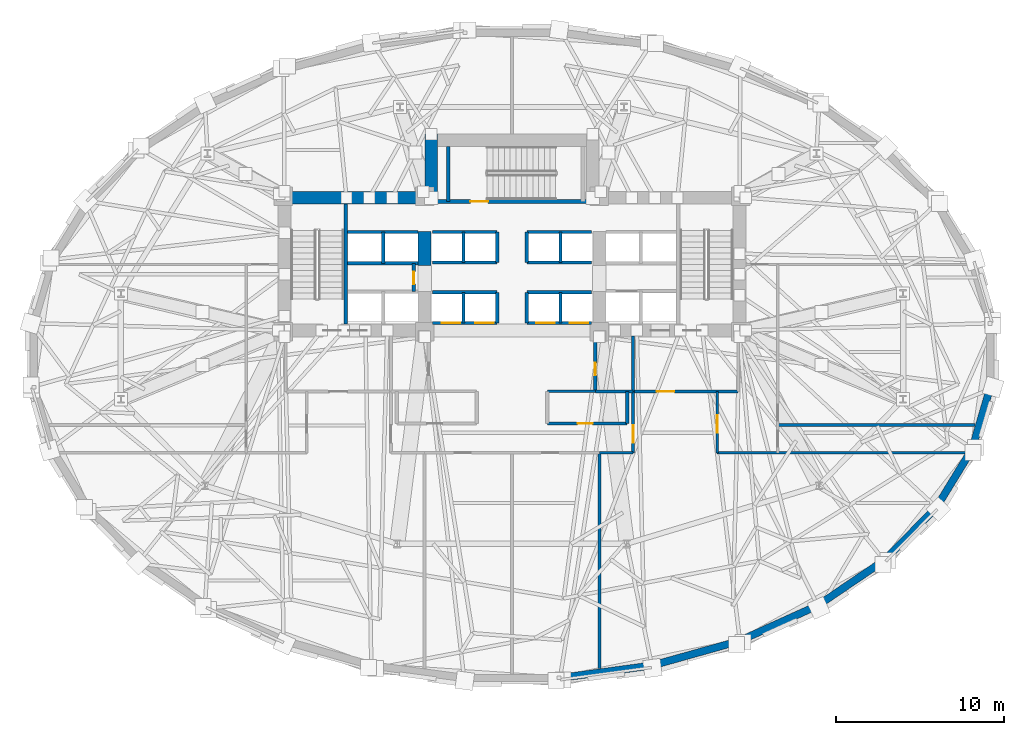
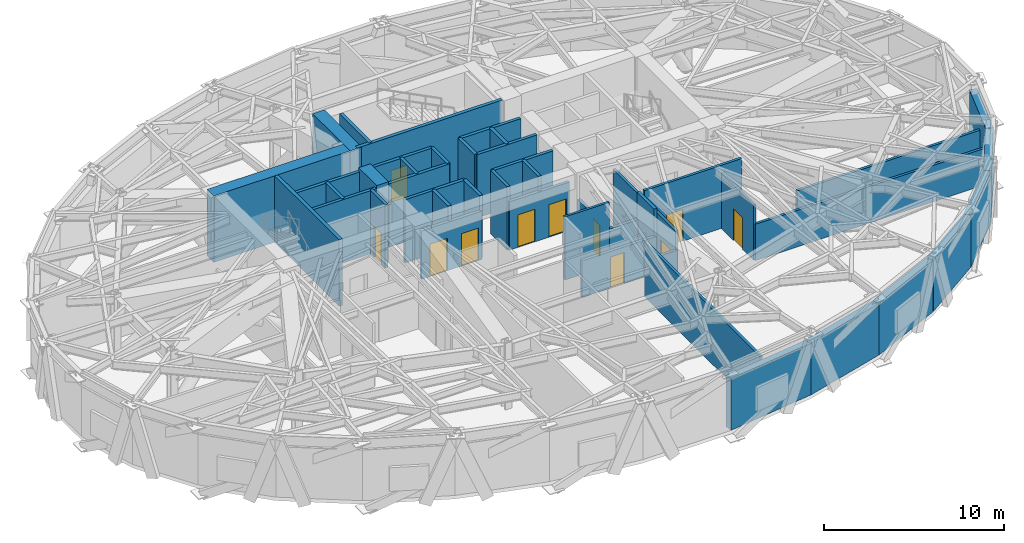
# One storey, part 8 of 14: 46 walls, 11 doors, 11 openings.
"""IFC4 building model written with IfcOpenShell, lengths in metres."""

from ifc_helpers import new_model, si_unit, direction, frame, frame_2d, origin, place, context, subcontext, project, spatial, rectangle, extrude, material, layer, layer_set, type_object, element, fill, save


model = new_model("IFC4")

# Units and contexts
model_context = context("Model", 3, precision=1e-05, world=origin(), true_north=direction((0.0, 1.0)))
body_context = subcontext(model_context, "Body", "Model", "MODEL_VIEW")
ifc_project = project(units=[si_unit("LENGTHUNIT", "METRE"), si_unit("AREAUNIT", "SQUARE_METRE"), si_unit("VOLUMEUNIT", "CUBIC_METRE"), si_unit("PLANEANGLEUNIT", "RADIAN"), si_unit("MASSUNIT", "GRAM", prefix="KILO")], contexts=[model_context])

# Site, building, storey
site_placement = place(None, origin())
site = spatial("IfcSite", under=ifc_project, at=site_placement, CompositionType="ELEMENT")
building_placement = place(site_placement, origin())
building = spatial("IfcBuilding", under=site, at=building_placement, Name="Keldmark Tower", CompositionType="ELEMENT")
storey_placement = place(building_placement, frame((0.0, 0.0, 77.39990234375)))
storey = spatial("IfcBuildingStorey", under=building, at=storey_placement, Name="L20", CompositionType="ELEMENT", Elevation=77.39990234375)

# Wall, opening, door
ifc_material_1 = material(Name="Heavy Acoustic Plumbing Chase Gypsum Assembly", Category="gypsum")
ifc_layer_1 = layer(ifc_material_1, 0.18994140625)
ifc_layer_set_1 = layer_set([ifc_layer_1], Name="Heavy Acoustic Plumbing Chase Gypsum Assembly")
wall_type_1 = type_object("IfcWallType", Name="Heavy Wet Wall 190 mm", PredefinedType="PLUMBINGWALL", material=ifc_layer_set_1)
wall_1_placement = place(storey_placement, frame((2.10009765625, -4.050048828125, 0.0), z_axis=(0.0, 0.0, 1.0), x_axis=(1.0, 0.0, 0.0)))
wall_1 = element("IfcWall", 1, at=wall_1_placement, inside=storey, type_object=wall_type_1, Name="L20 Heavy Wet Wall 190 mm SPK-E-S", PredefinedType="PLUMBINGWALL", context=body_context, shape_type="SweptSolid", body=[
    extrude(rectangle(XDim=4.75, YDim=0.18994140625, at=frame_2d((2.375, 0.0))), origin(), (0.0, 0.0, 1.0), 2.47021484375),
])
opening_1_placement = place(wall_1_placement, frame((1.800048828125, 0.0, 0.0)))
opening_1 = element("IfcOpeningElement", 2, at=opening_1_placement, cuts=wall_1, Name="Opening D-IN090", PredefinedType="OPENING", context=body_context, shape_type="SweptSolid", body=[
    extrude(rectangle(XDim=0.89990234375, YDim=2.10009765625, at=frame_2d((0.449951171875, 1.050048828125))), frame((0.0, 0.10498046875, 0.0), z_axis=(0.0, -1.0, 0.0), x_axis=(1.0, 0.0, 0.0)), (0.0, 0.0, 1.0), 0.2099609375),
])
ifc_material_2 = material(Name="Stained American White Oak Veneer", Category="wood")
door_type_1 = type_object("IfcDoorType", Name="Interior Door 900x2100", OperationType="NOTDEFINED", PredefinedType="DOOR", material=ifc_material_2)
door_1_placement = place(opening_1_placement, origin())
door_1 = element("IfcDoor", 3, at=door_1_placement, inside=storey, type_object=door_type_1, Name="L20 Interior Door 900x2100 D-SPKE1-L20", OperationType="SINGLE_SWING_RIGHT", OverallHeight=2.10009765625, OverallWidth=0.89990234375, PredefinedType="DOOR", context=body_context, shape_type="SweptSolid", body=[
    extrude(rectangle(XDim=0.89990234375, YDim=2.10009765625, at=frame_2d((0.449951171875, 1.050048828125))), frame((0.0, 0.02490234375, 0.0), z_axis=(0.0, -1.0, 0.0), x_axis=(1.0, 0.0, 0.0)), (0.0, 0.0, 1.0), 0.050048828125),
])
fill(opening_1, door_1)

# Walls
wall_2_placement = place(storey_placement, frame((6.85009765625, -4.050048828125, 0.0), z_axis=(0.0, 0.0, 1.0), x_axis=(0.0, 1.0, 0.0)))
element("IfcWall", 4, at=wall_2_placement, inside=storey, type_object=wall_type_1, Name="L20 Heavy Wet Wall 190 mm SPK-E-E", PredefinedType="PLUMBINGWALL", context=body_context, shape_type="SweptSolid", body=[
    extrude(rectangle(XDim=1.900146484375, YDim=0.18994140625, at=frame_2d((0.9501953125, 0.0))), origin(), (0.0, 0.0, 1.0), 4.280029296875),
])
ifc_material_3 = material(Name="Concrete C70/85", Category="concrete")
ifc_layer_2 = layer(ifc_material_3, 0.75)
ifc_layer_set_2 = layer_set([ifc_layer_2], Name="Concrete C70/85")
wall_type_2 = type_object("IfcWallType", Name="Low-Mid Core Shear Wall 750 mm", PredefinedType="SHEAR", material=ifc_layer_set_2)
wall_3_placement = place(storey_placement, frame((-13.89990234375, 9.375, 0.0), z_axis=(0.0, 0.0, 1.0), x_axis=(1.0, 0.0, 0.0)))
element("IfcWall", 5, at=wall_3_placement, inside=storey, type_object=wall_type_2, Name="L20 West Core North Shear Wall", PredefinedType="SHEAR", context=body_context, shape_type="SweptSolid", body=[
    extrude(rectangle(XDim=9.474853515625, YDim=0.75, at=frame_2d((4.7373046875, 0.0))), origin(), (0.0, 0.0, 1.0), 4.5),
])
wall_4_placement = place(storey_placement, frame((-5.199951171875, 5.35009765625, 0.0), z_axis=(0.0, 0.0, 1.0), x_axis=(0.0, 1.0, 0.0)))
element("IfcWall", 6, at=wall_4_placement, inside=storey, type_object=wall_type_2, Name="L20 West Core Inner Shear Pier North", PredefinedType="SHEAR", context=body_context, shape_type="SweptSolid", body=[
    extrude(rectangle(XDim=2.0, YDim=0.75, at=frame_2d((1.0, 0.0))), origin(), (0.0, 0.0, 1.0), 4.5),
])
wall_5_placement = place(storey_placement, frame((-4.800048828125, 9.0, 0.0), z_axis=(0.0, 0.0, 1.0), x_axis=(0.0, 1.0, 0.0)))
element("IfcWall", 7, at=wall_5_placement, inside=storey, type_object=wall_type_2, Name="L20 North Core West Shear Wall", PredefinedType="SHEAR", context=body_context, shape_type="SweptSolid", body=[
    extrude(rectangle(XDim=4.14990234375, YDim=0.75, at=frame_2d((2.074951171875, 0.0))), origin(), (0.0, 0.0, 1.0), 4.5),
])

# Wall, opening, door
ifc_material_4 = material(Name="Type X Fire-Rated Gypsum Partition Assembly", Category="gypsum")
ifc_layer_3 = layer(ifc_material_4, 0.1650390625)
ifc_layer_set_3 = layer_set([ifc_layer_3], Name="Type X Fire-Rated Gypsum Partition Assembly")
wall_type_3 = type_object("IfcWallType", Name="Rated Partition 165 mm", PredefinedType="PARTITIONING", material=ifc_layer_set_3)
wall_6_placement = place(storey_placement, frame((7.199951171875, -2.14990234375, 0.0), z_axis=(0.0, 0.0, 1.0), x_axis=(1.0, 0.0, 0.0)))
wall_6 = element("IfcWall", 8, at=wall_6_placement, inside=storey, type_object=wall_type_3, Name="L20 Rated Partition 165 mm FSAE-E-S", PredefinedType="PARTITIONING", context=body_context, shape_type="SweptSolid", body=[
    extrude(rectangle(XDim=6.25, YDim=0.1650390625, at=frame_2d((3.125, 0.0))), origin(), (0.0, 0.0, 1.0), 4.280029296875),
])
opening_2_placement = place(wall_6_placement, frame((1.39990234375, 0.0, 0.0)))
opening_2 = element("IfcOpeningElement", 9, at=opening_2_placement, cuts=wall_6, Name="Opening D-FL105", PredefinedType="OPENING", context=body_context, shape_type="SweptSolid", body=[
    extrude(rectangle(XDim=1.050048828125, YDim=2.14990234375, at=frame_2d((0.52490234375, 1.074951171875))), frame((0.0, 0.092529296875, 0.0), z_axis=(0.0, -1.0, 0.0), x_axis=(1.0, 0.0, 0.0)), (0.0, 0.0, 1.0), 0.18505859375),
])
ifc_material_5 = material(Name="Fire-Rated Mineral-Core Door and Vision Lite", Category="metal")
door_type_2 = type_object("IfcDoorType", Name="Fire Lobby Door 1050x2150", OperationType="NOTDEFINED", PredefinedType="DOOR", material=ifc_material_5)
door_2_placement = place(opening_2_placement, origin())
door_2 = element("IfcDoor", 10, at=door_2_placement, inside=storey, type_object=door_type_2, Name="L20 Fire Lobby Door 1050x2150 D-REFE-FSAE-L20", OperationType="SINGLE_SWING_RIGHT", OverallHeight=2.14990234375, OverallWidth=1.050048828125, PredefinedType="DOOR", context=body_context, shape_type="SweptSolid", body=[
    extrude(rectangle(XDim=1.050048828125, YDim=2.14990234375, at=frame_2d((0.52490234375, 1.074951171875))), frame((0.0, 0.02490234375, 0.0), z_axis=(0.0, -1.0, 0.0), x_axis=(1.0, 0.0, 0.0)), (0.0, 0.0, 1.0), 0.050048828125),
])
fill(opening_2, door_2)

# Wall
wall_7_placement = place(storey_placement, frame((7.199951171875, -2.14990234375, 0.0), z_axis=(0.0, 0.0, 1.0), x_axis=(0.0, 1.0, 0.0)))
element("IfcWall", 11, at=wall_7_placement, inside=storey, type_object=wall_type_3, Name="L20 Rated Partition 165 mm FSAE-E-W", PredefinedType="PARTITIONING", context=body_context, shape_type="SweptSolid", body=[
    extrude(rectangle(XDim=3.2998046875, YDim=0.1650390625, at=frame_2d((1.64990234375, 0.0))), origin(), (0.0, 0.0, 1.0), 3.733154296875),
])

# Wall, opening, door
wall_8_placement = place(storey_placement, frame((7.199951171875, -5.800048828125, 0.0), z_axis=(0.0, 0.0, 1.0), x_axis=(0.0, 1.0, 0.0)))
wall_8 = element("IfcWall", 12, at=wall_8_placement, inside=storey, type_object=wall_type_3, Name="L20 Rated Partition 165 mm REF-ET-W", PredefinedType="PARTITIONING", context=body_context, shape_type="SweptSolid", body=[
    extrude(rectangle(XDim=3.650146484375, YDim=0.1650390625, at=frame_2d((1.8251953125, 0.0))), origin(), (0.0, 0.0, 1.0), 3.733154296875),
])
opening_3_placement = place(wall_8_placement, frame((0.60009765625, 0.0, 0.0)))
opening_3 = element("IfcOpeningElement", 13, at=opening_3_placement, cuts=wall_8, Name="Opening D-FL105", PredefinedType="OPENING", context=body_context, shape_type="SweptSolid", body=[
    extrude(rectangle(XDim=1.050048828125, YDim=2.14990234375, at=frame_2d((0.52490234375, 1.074951171875))), frame((0.0, 0.092529296875, 0.0), z_axis=(0.0, -1.0, 0.0), x_axis=(1.0, 0.0, 0.0)), (0.0, 0.0, 1.0), 0.18505859375),
])
door_3_placement = place(opening_3_placement, origin())
door_3 = element("IfcDoor", 14, at=door_3_placement, inside=storey, type_object=door_type_2, Name="L20 Fire Lobby Door 1050x2150 D-REFE-CORW-L20", OperationType="SINGLE_SWING_LEFT", OverallHeight=2.14990234375, OverallWidth=1.050048828125, PredefinedType="DOOR", context=body_context, shape_type="SweptSolid", body=[
    extrude(rectangle(XDim=1.050048828125, YDim=2.14990234375, at=frame_2d((0.52490234375, 1.074951171875))), frame((0.0, 0.02490234375, 0.0), z_axis=(0.0, -1.0, 0.0), x_axis=(1.0, 0.0, 0.0)), (0.0, 0.0, 1.0), 0.050048828125),
])
fill(opening_3, door_3)

wall_9_placement = place(storey_placement, frame((12.199951171875, -5.800048828125, 0.0), z_axis=(0.0, 0.0, 1.0), x_axis=(0.0, 1.0, 0.0)))
wall_9 = element("IfcWall", 15, at=wall_9_placement, inside=storey, type_object=wall_type_3, Name="L20 Rated Partition 165 mm REF-ET-E", PredefinedType="PARTITIONING", context=body_context, shape_type="SweptSolid", body=[
    extrude(rectangle(XDim=3.650146484375, YDim=0.1650390625, at=frame_2d((1.8251953125, 0.0))), origin(), (0.0, 0.0, 1.0), 3.733154296875),
])
opening_4_placement = place(wall_9_placement, frame((1.199951171875, 0.0, 0.0)))
opening_4 = element("IfcOpeningElement", 16, at=opening_4_placement, cuts=wall_9, Name="Opening D-FL105", PredefinedType="OPENING", context=body_context, shape_type="SweptSolid", body=[
    extrude(rectangle(XDim=1.050048828125, YDim=2.14990234375, at=frame_2d((0.52490234375, 1.074951171875))), frame((0.0, 0.092529296875, 0.0), z_axis=(0.0, -1.0, 0.0), x_axis=(1.0, 0.0, 0.0)), (0.0, 0.0, 1.0), 0.18505859375),
])
door_4_placement = place(opening_4_placement, origin())
door_4 = element("IfcDoor", 17, at=door_4_placement, inside=storey, type_object=door_type_2, Name="L20 Fire Lobby Door 1050x2150 D-REFE-CORE-L20", OperationType="SINGLE_SWING_RIGHT", OverallHeight=2.14990234375, OverallWidth=1.050048828125, PredefinedType="DOOR", context=body_context, shape_type="SweptSolid", body=[
    extrude(rectangle(XDim=1.050048828125, YDim=2.14990234375, at=frame_2d((0.52490234375, 1.074951171875))), frame((0.0, 0.02490234375, 0.0), z_axis=(0.0, -1.0, 0.0), x_axis=(1.0, 0.0, 0.0)), (0.0, 0.0, 1.0), 0.050048828125),
])
fill(opening_4, door_4)

# Walls
wall_10_placement = place(storey_placement, frame((5.199951171875, -18.6337890625, 0.0), z_axis=(0.0, 0.0, 1.0), x_axis=(0.0, 1.0, 0.0)))
element("IfcWall", 18, at=wall_10_placement, inside=storey, type_object=wall_type_3, Name="L20 Rated Partition 165 mm REF-S-E", PredefinedType="PARTITIONING", context=body_context, shape_type="SweptSolid", body=[
    extrude(rectangle(XDim=12.833740234375, YDim=0.1650390625, at=frame_2d((6.4169921875, 0.0))), origin(), (0.0, 0.0, 1.0), 3.733154296875),
])
wall_11_placement = place(storey_placement, frame((5.199951171875, -5.800048828125, 0.0), z_axis=(0.0, 0.0, 1.0), x_axis=(1.0, 0.0, 0.0)))
element("IfcWall", 19, at=wall_11_placement, inside=storey, type_object=wall_type_3, Name="L20 Rated Partition 165 mm REF-CAP-EC", PredefinedType="PARTITIONING", context=body_context, shape_type="SweptSolid", body=[
    extrude(rectangle(XDim=2.0, YDim=0.1650390625, at=frame_2d((1.0, 0.0))), origin(), (0.0, 0.0, 1.0), 2.47021484375),
])
wall_12_placement = place(storey_placement, frame((12.199951171875, -5.800048828125, 0.0), z_axis=(0.0, 0.0, 1.0), x_axis=(1.0, 0.0, 0.0)))
element("IfcWall", 20, at=wall_12_placement, inside=storey, type_object=wall_type_3, Name="L20 Rated Partition 165 mm REF-CAP-E", PredefinedType="PARTITIONING", context=body_context, shape_type="SweptSolid", body=[
    extrude(rectangle(XDim=14.74951171875, YDim=0.1650390625, at=frame_2d((7.374755859375, 0.0))), origin(), (0.0, 0.0, 1.0), 2.47021484375),
])
wall_13_placement = place(storey_placement, frame((15.800048828125, -4.14990234375, 0.0), z_axis=(0.0, 0.0, 1.0), x_axis=(1.0, 0.0, 0.0)))
element("IfcWall", 21, at=wall_13_placement, inside=storey, type_object=wall_type_3, Name="L20 Rated Partition 165 mm EPL-DIV", PredefinedType="PARTITIONING", context=body_context, shape_type="SweptSolid", body=[
    extrude(rectangle(XDim=11.736572265625, YDim=0.1650390625, at=frame_2d((5.8681640625, 0.0))), origin(), (0.0, 0.0, 1.0), 2.47021484375),
])
ifc_material_6 = material(Name="Fire-Resistant Type X Gypsum Shaftliner Coreboard", Category="gypsum")
ifc_layer_4 = layer(ifc_material_6, 0.199951171875)
ifc_layer_set_4 = layer_set([ifc_layer_4], Name="Fire-Resistant Type X Gypsum Shaftliner Coreboard")
wall_type_4 = type_object("IfcWallType", Name="Shaft Wall 200 mm", PredefinedType="SOLIDWALL", material=ifc_layer_set_4)
wall_14_placement = place(storey_placement, frame((4.949951171875, -2.14990234375, 0.0), z_axis=(0.0, 0.0, 1.0), x_axis=(1.0, 0.0, 0.0)))
element("IfcWall", 22, at=wall_14_placement, inside=storey, type_object=wall_type_4, Name="L20 Shaft Wall 200 mm RIS-SE-S", PredefinedType="SOLIDWALL", context=body_context, shape_type="SweptSolid", body=[
    extrude(rectangle(XDim=2.25, YDim=0.199951171875, at=frame_2d((1.125, 0.0))), origin(), (0.0, 0.0, 1.0), 2.47021484375),
])

# Wall, opening, door
wall_15_placement = place(storey_placement, frame((4.949951171875, -2.14990234375, 0.0), z_axis=(0.0, 0.0, 1.0), x_axis=(0.0, 1.0, 0.0)))
wall_15 = element("IfcWall", 23, at=wall_15_placement, inside=storey, type_object=wall_type_4, Name="L20 Shaft Wall 200 mm RIS-SE-W", PredefinedType="SOLIDWALL", context=body_context, shape_type="SweptSolid", body=[
    extrude(rectangle(XDim=3.2998046875, YDim=0.199951171875, at=frame_2d((1.64990234375, 0.0))), origin(), (0.0, 0.0, 1.0), 2.47021484375),
])
opening_5_placement = place(wall_15_placement, frame((0.949951171875, 0.0, 0.0)))
opening_5 = element("IfcOpeningElement", 24, at=opening_5_placement, cuts=wall_15, Name="Opening D-RS075", PredefinedType="OPENING", context=body_context, shape_type="SweptSolid", body=[
    extrude(rectangle(XDim=0.75, YDim=2.10009765625, at=frame_2d((0.375, 1.050048828125))), frame((0.0, 0.10986328125, 0.0), z_axis=(0.0, -1.0, 0.0), x_axis=(1.0, 0.0, 0.0)), (0.0, 0.0, 1.0), 0.219970703125),
])
ifc_material_7 = material(Name="Galvanized Fire-Rated Access Leaf", Category="metal")
door_type_3 = type_object("IfcDoorType", Name="Riser Access Door 750x2100", OperationType="NOTDEFINED", PredefinedType="DOOR", material=ifc_material_7)
door_5_placement = place(opening_5_placement, origin())
door_5 = element("IfcDoor", 25, at=door_5_placement, inside=storey, type_object=door_type_3, Name="L20 Riser Access Door 750x2100 D-RISSE-L20", OperationType="SINGLE_SWING_LEFT", OverallHeight=2.10009765625, OverallWidth=0.75, PredefinedType="DOOR", context=body_context, shape_type="SweptSolid", body=[
    extrude(rectangle(XDim=0.75, YDim=2.10009765625, at=frame_2d((0.375, 1.050048828125))), frame((0.0, 0.02490234375, 0.0), z_axis=(0.0, -1.0, 0.0), x_axis=(1.0, 0.0, 0.0)), (0.0, 0.0, 1.0), 0.050048828125),
])
fill(opening_5, door_5)

# Walls
for number, where, z_axis, x_axis, name in (
    (26, (-9.780029296875, 5.469970703125, 0.0), (0.0, 0.0, 1.0), (1.0, 0.0, 0.0), "L20 Shaft Wall 200 mm HW-W-N"),
    (27, (-9.780029296875, 7.330078125, 0.0), (0.0, 0.0, 1.0), (1.0, 0.0, 0.0), "L20 Shaft Wall 200 mm HW-W-TOP"),
):
    element("IfcWall", number, at=place(storey_placement, frame(where, z_axis=z_axis, x_axis=x_axis)), inside=storey, type_object=wall_type_4, Name=name, PredefinedType="SOLIDWALL", context=body_context, shape_type="SweptSolid", body=[
        extrude(rectangle(XDim=4.205078125, YDim=0.199951171875, at=frame_2d((2.1025390625, 0.0))), origin(), (0.0, 0.0, 1.0), 4.280029296875),
    ])
wall_16_placement = place(storey_placement, frame((-7.64990234375, 5.469970703125, 0.0), z_axis=(0.0, 0.0, 1.0), x_axis=(0.0, 1.0, 0.0)))
element("IfcWall", 28, at=wall_16_placement, inside=storey, type_object=wall_type_4, Name="L20 Shaft Wall 200 mm HW-W-NM", PredefinedType="SOLIDWALL", context=body_context, shape_type="SweptSolid", body=[
    extrude(rectangle(XDim=1.860107421875, YDim=0.199951171875, at=frame_2d((0.93017578125, 0.0))), origin(), (0.0, 0.0, 1.0), 4.280029296875),
])

# Wall, opening, door
wall_17_placement = place(storey_placement, frame((-5.85009765625, 3.780029296875, 0.0), z_axis=(0.0, 0.0, 1.0), x_axis=(0.0, 1.0, 0.0)))
wall_17 = element("IfcWall", 29, at=wall_17_placement, inside=storey, type_object=wall_type_4, Name="L20 Shaft Wall 200 mm HW-W-CLOSE", PredefinedType="SOLIDWALL", context=body_context, shape_type="SweptSolid", body=[
    extrude(rectangle(XDim=1.68994140625, YDim=0.199951171875, at=frame_2d((0.844970703125, 0.0))), origin(), (0.0, 0.0, 1.0), 4.280029296875),
])
opening_6_placement = place(wall_17_placement, frame((0.449951171875, 0.0, 0.0)))
opening_6 = element("IfcOpeningElement", 30, at=opening_6_placement, cuts=wall_17, Name="Opening D-RS075", PredefinedType="OPENING", context=body_context, shape_type="SweptSolid", body=[
    extrude(rectangle(XDim=0.75, YDim=2.10009765625, at=frame_2d((0.375, 1.050048828125))), frame((0.0, 0.10986328125, 0.0), z_axis=(0.0, -1.0, 0.0), x_axis=(1.0, 0.0, 0.0)), (0.0, 0.0, 1.0), 0.219970703125),
])
door_6_placement = place(opening_6_placement, origin())
door_6 = element("IfcDoor", 31, at=door_6_placement, inside=storey, type_object=door_type_3, Name="L20 Riser Access Door 750x2100 D-RISHW-L20", OperationType="SINGLE_SWING_RIGHT", OverallHeight=2.10009765625, OverallWidth=0.75, PredefinedType="DOOR", context=body_context, shape_type="SweptSolid", body=[
    extrude(rectangle(XDim=0.75, YDim=2.10009765625, at=frame_2d((0.375, 1.050048828125))), frame((0.0, 0.02490234375, 0.0), z_axis=(0.0, -1.0, 0.0), x_axis=(1.0, 0.0, 0.0)), (0.0, 0.0, 1.0), 0.050048828125),
])
fill(opening_6, door_6)

# Wall, openings, doors
wall_18_placement = place(storey_placement, frame((-4.739990234375, 1.919921875, 0.0), z_axis=(0.0, 0.0, 1.0), x_axis=(1.0, 0.0, 0.0)))
wall_18 = element("IfcWall", 32, at=wall_18_placement, inside=storey, type_object=wall_type_4, Name="L20 Shaft Wall 200 mm LOW-S-W", PredefinedType="SOLIDWALL", context=body_context, shape_type="SweptSolid", body=[
    extrude(rectangle(XDim=3.860107421875, YDim=0.199951171875, at=frame_2d((1.93017578125, 0.0))), origin(), (0.0, 0.0, 1.0), 3.27001953125),
])
opening_7_placement = place(wall_18_placement, frame((0.550048828125, 0.0, 0.0)))
opening_7 = element("IfcOpeningElement", 33, at=opening_7_placement, cuts=wall_18, Name="Opening LD-110", PredefinedType="OPENING", context=body_context, shape_type="SweptSolid", body=[
    extrude(rectangle(XDim=1.10009765625, YDim=2.199951171875, at=frame_2d((0.550048828125, 1.10009765625))), frame((0.0, 0.10986328125, 0.0), z_axis=(0.0, -1.0, 0.0), x_axis=(1.0, 0.0, 0.0)), (0.0, 0.0, 1.0), 0.219970703125),
])
opening_8_placement = place(wall_18_placement, frame((2.550048828125, 0.0, 0.0)))
opening_8 = element("IfcOpeningElement", 34, at=opening_8_placement, cuts=wall_18, Name="Opening LD-110", PredefinedType="OPENING", context=body_context, shape_type="SweptSolid", body=[
    extrude(rectangle(XDim=1.10009765625, YDim=2.199951171875, at=frame_2d((0.550048828125, 1.10009765625))), frame((0.0, 0.10986328125, 0.0), z_axis=(0.0, -1.0, 0.0), x_axis=(1.0, 0.0, 0.0)), (0.0, 0.0, 1.0), 0.219970703125),
])
ifc_material_8 = material(Name="Brushed Bronze Hoistway Sliding Leaf", Category="metal")
door_type_4 = type_object("IfcDoorType", Name="Lift Landing Sliding Door 1100x2200", OperationType="SLIDING_TO_LEFT", PredefinedType="DOOR", material=ifc_material_8)
door_7_placement = place(opening_7_placement, origin())
door_7 = element("IfcDoor", 35, at=door_7_placement, inside=storey, type_object=door_type_4, Name="L20 Lift Landing Sliding Door 1100x2200 LD-EL-L1-L20", OperationType="SLIDING_TO_LEFT", OverallHeight=2.199951171875, OverallWidth=1.10009765625, PredefinedType="DOOR", context=body_context, shape_type="SweptSolid", body=[
    extrude(rectangle(XDim=1.10009765625, YDim=2.199951171875, at=frame_2d((0.550048828125, 1.10009765625))), frame((0.0, 0.02490234375, 0.0), z_axis=(0.0, -1.0, 0.0), x_axis=(1.0, 0.0, 0.0)), (0.0, 0.0, 1.0), 0.050048828125),
])
fill(opening_7, door_7)
door_8_placement = place(opening_8_placement, origin())
door_8 = element("IfcDoor", 36, at=door_8_placement, inside=storey, type_object=door_type_4, Name="L20 Lift Landing Sliding Door 1100x2200 LD-EL-L2-L20", OperationType="SLIDING_TO_LEFT", OverallHeight=2.199951171875, OverallWidth=1.10009765625, PredefinedType="DOOR", context=body_context, shape_type="SweptSolid", body=[
    extrude(rectangle(XDim=1.10009765625, YDim=2.199951171875, at=frame_2d((0.550048828125, 1.10009765625))), frame((0.0, 0.02490234375, 0.0), z_axis=(0.0, -1.0, 0.0), x_axis=(1.0, 0.0, 0.0)), (0.0, 0.0, 1.0), 0.050048828125),
])
fill(opening_8, door_8)

wall_19_placement = place(storey_placement, frame((0.8798828125, 1.919921875, 0.0), z_axis=(0.0, 0.0, 1.0), x_axis=(1.0, 0.0, 0.0)))
wall_19 = element("IfcWall", 37, at=wall_19_placement, inside=storey, type_object=wall_type_4, Name="L20 Shaft Wall 200 mm LOW-S-E", PredefinedType="SOLIDWALL", context=body_context, shape_type="SweptSolid", body=[
    extrude(rectangle(XDim=3.860107421875, YDim=0.199951171875, at=frame_2d((1.93017578125, 0.0))), origin(), (0.0, 0.0, 1.0), 3.27001953125),
])
opening_9_placement = place(wall_19_placement, frame((0.550048828125, 0.0, 0.0)))
opening_9 = element("IfcOpeningElement", 38, at=opening_9_placement, cuts=wall_19, Name="Opening LD-110", PredefinedType="OPENING", context=body_context, shape_type="SweptSolid", body=[
    extrude(rectangle(XDim=1.10009765625, YDim=2.199951171875, at=frame_2d((0.550048828125, 1.10009765625))), frame((0.0, 0.10986328125, 0.0), z_axis=(0.0, -1.0, 0.0), x_axis=(1.0, 0.0, 0.0)), (0.0, 0.0, 1.0), 0.219970703125),
])
opening_10_placement = place(wall_19_placement, frame((2.550048828125, 0.0, 0.0)))
opening_10 = element("IfcOpeningElement", 39, at=opening_10_placement, cuts=wall_19, Name="Opening LD-110", PredefinedType="OPENING", context=body_context, shape_type="SweptSolid", body=[
    extrude(rectangle(XDim=1.10009765625, YDim=2.199951171875, at=frame_2d((0.550048828125, 1.10009765625))), frame((0.0, 0.10986328125, 0.0), z_axis=(0.0, -1.0, 0.0), x_axis=(1.0, 0.0, 0.0)), (0.0, 0.0, 1.0), 0.219970703125),
])
door_9_placement = place(opening_9_placement, origin())
door_9 = element("IfcDoor", 40, at=door_9_placement, inside=storey, type_object=door_type_4, Name="L20 Lift Landing Sliding Door 1100x2200 LD-EL-L3-L20", OperationType="SLIDING_TO_LEFT", OverallHeight=2.199951171875, OverallWidth=1.10009765625, PredefinedType="DOOR", context=body_context, shape_type="SweptSolid", body=[
    extrude(rectangle(XDim=1.10009765625, YDim=2.199951171875, at=frame_2d((0.550048828125, 1.10009765625))), frame((0.0, 0.02490234375, 0.0), z_axis=(0.0, -1.0, 0.0), x_axis=(1.0, 0.0, 0.0)), (0.0, 0.0, 1.0), 0.050048828125),
])
fill(opening_9, door_9)
door_10_placement = place(opening_10_placement, origin())
door_10 = element("IfcDoor", 41, at=door_10_placement, inside=storey, type_object=door_type_4, Name="L20 Lift Landing Sliding Door 1100x2200 LD-EL-L4-L20", OperationType="SLIDING_TO_LEFT", OverallHeight=2.199951171875, OverallWidth=1.10009765625, PredefinedType="DOOR", context=body_context, shape_type="SweptSolid", body=[
    extrude(rectangle(XDim=1.10009765625, YDim=2.199951171875, at=frame_2d((0.550048828125, 1.10009765625))), frame((0.0, 0.02490234375, 0.0), z_axis=(0.0, -1.0, 0.0), x_axis=(1.0, 0.0, 0.0)), (0.0, 0.0, 1.0), 0.050048828125),
])
fill(opening_10, door_10)

# Walls
for number, where, z_axis, x_axis, name in (
    (42, (-4.739990234375, 3.739990234375, 0.0), (0.0, 0.0, 1.0), (1.0, 0.0, 0.0), "L20 Shaft Wall 200 mm LOW-N-W"),
    (43, (0.8798828125, 3.739990234375, 0.0), (0.0, 0.0, 1.0), (1.0, 0.0, 0.0), "L20 Shaft Wall 200 mm LOW-N-E"),
):
    element("IfcWall", number, at=place(storey_placement, frame(where, z_axis=z_axis, x_axis=x_axis)), inside=storey, type_object=wall_type_4, Name=name, PredefinedType="SOLIDWALL", context=body_context, shape_type="SweptSolid", body=[
        extrude(rectangle(XDim=3.860107421875, YDim=0.199951171875, at=frame_2d((1.93017578125, 0.0))), origin(), (0.0, 0.0, 1.0), 4.280029296875),
    ])
for number, where, z_axis, x_axis, name in (
    (44, (-2.8798828125, 1.919921875, 0.0), (0.0, 0.0, 1.0), (0.0, 1.0, 0.0), "L20 Shaft Wall 200 mm LOW-M-W"),
    (45, (2.8798828125, 1.919921875, 0.0), (0.0, 0.0, 1.0), (0.0, 1.0, 0.0), "L20 Shaft Wall 200 mm LOW-M-E"),
    (46, (-0.8798828125, 1.919921875, 0.0), (0.0, 0.0, 1.0), (0.0, 1.0, 0.0), "L20 Shaft Wall 200 mm LOW-C-W"),
    (47, (0.8798828125, 1.919921875, 0.0), (0.0, 0.0, 1.0), (0.0, 1.0, 0.0), "L20 Shaft Wall 200 mm LOW-C-E"),
):
    element("IfcWall", number, at=place(storey_placement, frame(where, z_axis=z_axis, x_axis=x_axis)), inside=storey, type_object=wall_type_4, Name=name, PredefinedType="SOLIDWALL", context=body_context, shape_type="SweptSolid", body=[
        extrude(rectangle(XDim=1.820068359375, YDim=0.199951171875, at=frame_2d((0.91015625, 0.0))), origin(), (0.0, 0.0, 1.0), 4.280029296875),
    ])
for number, where, z_axis, x_axis, name in (
    (48, (-4.739990234375, 5.52001953125, 0.0), (0.0, 0.0, 1.0), (1.0, 0.0, 0.0), "L20 Shaft Wall 200 mm MID-S-W"),
    (49, (0.8798828125, 5.52001953125, 0.0), (0.0, 0.0, 1.0), (1.0, 0.0, 0.0), "L20 Shaft Wall 200 mm MID-S-E"),
    (50, (-4.739990234375, 7.330078125, 0.0), (0.0, 0.0, 1.0), (1.0, 0.0, 0.0), "L20 Shaft Wall 200 mm MID-N-W"),
    (51, (0.8798828125, 7.330078125, 0.0), (0.0, 0.0, 1.0), (1.0, 0.0, 0.0), "L20 Shaft Wall 200 mm MID-N-E"),
):
    element("IfcWall", number, at=place(storey_placement, frame(where, z_axis=z_axis, x_axis=x_axis)), inside=storey, type_object=wall_type_4, Name=name, PredefinedType="SOLIDWALL", context=body_context, shape_type="SweptSolid", body=[
        extrude(rectangle(XDim=3.860107421875, YDim=0.199951171875, at=frame_2d((1.93017578125, 0.0))), origin(), (0.0, 0.0, 1.0), 4.280029296875),
    ])
for number, where, z_axis, x_axis, name in (
    (52, (-2.8798828125, 5.52001953125, 0.0), (0.0, 0.0, 1.0), (0.0, 1.0, 0.0), "L20 Shaft Wall 200 mm MID-M-W"),
    (53, (2.8798828125, 5.52001953125, 0.0), (0.0, 0.0, 1.0), (0.0, 1.0, 0.0), "L20 Shaft Wall 200 mm MID-M-E"),
    (54, (-0.8798828125, 5.52001953125, 0.0), (0.0, 0.0, 1.0), (0.0, 1.0, 0.0), "L20 Shaft Wall 200 mm MID-C-W"),
    (55, (0.8798828125, 5.52001953125, 0.0), (0.0, 0.0, 1.0), (0.0, 1.0, 0.0), "L20 Shaft Wall 200 mm MID-C-E"),
):
    element("IfcWall", number, at=place(storey_placement, frame(where, z_axis=z_axis, x_axis=x_axis)), inside=storey, type_object=wall_type_4, Name=name, PredefinedType="SOLIDWALL", context=body_context, shape_type="SweptSolid", body=[
        extrude(rectangle(XDim=1.81005859375, YDim=0.199951171875, at=frame_2d((0.905029296875, 0.0))), origin(), (0.0, 0.0, 1.0), 4.280029296875),
    ])
ifc_material_9 = material(Name="Concrete C50/60", Category="concrete")
ifc_layer_5 = layer(ifc_material_9, 0.219970703125)
ifc_layer_set_5 = layer_set([ifc_layer_5], Name="Concrete C50/60")
wall_type_5 = type_object("IfcWallType", Name="Stair Core Shear Wall 220 mm", PredefinedType="SHEAR", material=ifc_layer_set_5)
wall_20_placement = place(storey_placement, frame((-9.889892578125, 1.85009765625, 0.0), z_axis=(0.0, 0.0, 1.0), x_axis=(0.0, 1.0, 0.0)))
element("IfcWall", 56, at=wall_20_placement, inside=storey, type_object=wall_type_5, Name="L20 West Stair Core Shear Wall", PredefinedType="SHEAR", context=body_context, shape_type="SweptSolid", body=[
    extrude(rectangle(XDim=7.14990234375, YDim=0.219970703125, at=frame_2d((3.574951171875, 0.0))), origin(), (0.0, 0.0, 1.0), 4.5),
])

# Wall, opening, door
wall_21_placement = place(storey_placement, frame((-4.699951171875, 9.139892578125, 0.0), z_axis=(0.0, 0.0, 1.0), x_axis=(1.0, 0.0, 0.0)))
wall_21 = element("IfcWall", 57, at=wall_21_placement, inside=storey, type_object=wall_type_5, Name="L20 Central Stair Core South Shear Wall", PredefinedType="SHEAR", context=body_context, shape_type="SweptSolid", body=[
    extrude(rectangle(XDim=9.300048828125, YDim=0.219970703125, at=frame_2d((4.64990234375, 0.0))), origin(), (0.0, 0.0, 1.0), 4.5),
])
opening_11_placement = place(wall_21_placement, frame((2.22998046875, 0.0, 0.0)))
opening_11 = element("IfcOpeningElement", 58, at=opening_11_placement, cuts=wall_21, Name="Opening D-ST105", PredefinedType="OPENING", context=body_context, shape_type="SweptSolid", body=[
    extrude(rectangle(XDim=1.050048828125, YDim=2.14990234375, at=frame_2d((0.52490234375, 1.074951171875))), frame((0.0, 0.119873046875, 0.0), z_axis=(0.0, -1.0, 0.0), x_axis=(1.0, 0.0, 0.0)), (0.0, 0.0, 1.0), 0.239990234375),
])
ifc_material_10 = material(Name="Hollow Metal Fire-Rated Door Assembly", Category="metal")
door_type_5 = type_object("IfcDoorType", Name="Stair Fire Door 1050x2150", OperationType="NOTDEFINED", PredefinedType="DOOR", material=ifc_material_10)
door_11_placement = place(opening_11_placement, origin())
door_11 = element("IfcDoor", 59, at=door_11_placement, inside=storey, type_object=door_type_5, Name="L20 Stair Fire Door 1050x2150 D-ST3-L20", OperationType="SINGLE_SWING_LEFT", OverallHeight=2.14990234375, OverallWidth=1.050048828125, PredefinedType="DOOR", context=body_context, shape_type="SweptSolid", body=[
    extrude(rectangle(XDim=1.050048828125, YDim=2.14990234375, at=frame_2d((0.52490234375, 1.074951171875))), frame((0.0, 0.02490234375, 0.0), z_axis=(0.0, -1.0, 0.0), x_axis=(1.0, 0.0, 0.0)), (0.0, 0.0, 1.0), 0.050048828125),
])
fill(opening_11, door_11)

# Walls
wall_22_placement = place(storey_placement, frame((-3.784912109375, 9.139892578125, 0.0), z_axis=(0.0, 0.0, 1.0), x_axis=(0.0, 1.0, 0.0)))
element("IfcWall", 60, at=wall_22_placement, inside=storey, type_object=wall_type_5, Name="L20 Central Stair Core West Shear Wall", PredefinedType="SHEAR", context=body_context, shape_type="SweptSolid", body=[
    extrude(rectangle(XDim=3.260009765625, YDim=0.219970703125, at=frame_2d((1.6298828125, 0.0))), origin(), (0.0, 0.0, 1.0), 4.5),
])
ifc_material_11 = material(Name="Ironspot Manganese Brick and Kasota Buff Limestone Spandrel Assembly", Category="masonry")
ifc_layer_6 = layer(ifc_material_11, 0.43994140625)
ifc_layer_set_6 = layer_set([ifc_layer_6], Name="Ironspot Manganese Brick and Kasota Buff Limestone Spandrel Assembly")
wall_type_6 = type_object("IfcWallType", Name="Tower Brick Pier and Spandrel Wall 440 mm", PredefinedType="STANDARD", material=ifc_layer_set_6)
wall_23_placement = place(storey_placement, frame((8.330810546875, -18.4423828125, 0.0), z_axis=(0.0, 0.0, 1.0), x_axis=(-0.9910561058, -0.133445851026, 0.0)))
element("IfcWall", 61, at=wall_23_placement, inside=storey, type_object=wall_type_6, Name="L20 Exterior Brick and Spandrel Wall 25", PredefinedType="STANDARD", context=body_context, shape_type="SweptSolid", body=[
    extrude(rectangle(XDim=5.58740234375, YDim=0.43994140625, at=frame_2d((2.793701171875, 0.0))), origin(), (0.0, 0.0, 1.0), 3.498046875),
])
wall_24_placement = place(storey_placement, frame((13.516845703125, -16.985595703125, 0.0), z_axis=(0.0, 0.0, 1.0), x_axis=(-0.962849260033, -0.270039446109, 0.0)))
element("IfcWall", 62, at=wall_24_placement, inside=storey, type_object=wall_type_6, Name="L20 Exterior Brick and Spandrel Wall 26", PredefinedType="STANDARD", context=body_context, shape_type="SweptSolid", body=[
    extrude(rectangle(XDim=5.417236328125, YDim=0.43994140625, at=frame_2d((2.70849609375, 0.0))), origin(), (0.0, 0.0, 1.0), 3.498046875),
])
wall_25_placement = place(storey_placement, frame((18.1796875, -14.873291015625, 0.0), z_axis=(0.0, 0.0, 1.0), x_axis=(-0.911088856004, -0.412210014999, 0.0)))
element("IfcWall", 63, at=wall_25_placement, inside=storey, type_object=wall_type_6, Name="L20 Exterior Brick and Spandrel Wall 27", PredefinedType="STANDARD", context=body_context, shape_type="SweptSolid", body=[
    extrude(rectangle(XDim=5.152099609375, YDim=0.43994140625, at=frame_2d((2.576171875, 0.0))), origin(), (0.0, 0.0, 1.0), 3.498046875),
])
wall_26_placement = place(storey_placement, frame((22.139404296875, -12.1884765625, 0.0), z_axis=(0.0, 0.0, 1.0), x_axis=(-0.82804003003, -0.560668983151, 0.0)))
element("IfcWall", 64, at=wall_26_placement, inside=storey, type_object=wall_type_6, Name="L20 Exterior Brick and Spandrel Wall 28", PredefinedType="STANDARD", context=body_context, shape_type="SweptSolid", body=[
    extrude(rectangle(XDim=4.8212890625, YDim=0.43994140625, at=frame_2d((2.41064453125, 0.0))), origin(), (0.0, 0.0, 1.0), 3.498046875),
])
wall_27_placement = place(storey_placement, frame((25.24267578125, -9.03759765625, 0.0), z_axis=(0.0, 0.0, 1.0), x_axis=(-0.702361901729, -0.711820032733, 0.0)))
element("IfcWall", 65, at=wall_27_placement, inside=storey, type_object=wall_type_6, Name="L20 Exterior Brick and Spandrel Wall 29", PredefinedType="STANDARD", context=body_context, shape_type="SweptSolid", body=[
    extrude(rectangle(XDim=4.465576171875, YDim=0.43994140625, at=frame_2d((2.23291015625, 0.0))), origin(), (0.0, 0.0, 1.0), 3.498046875),
])
wall_28_placement = place(storey_placement, frame((27.372314453125, -5.5458984375, 0.0), z_axis=(0.0, 0.0, 1.0), x_axis=(-0.521891226532, -0.85301204427, 0.0)))
element("IfcWall", 66, at=wall_28_placement, inside=storey, type_object=wall_type_6, Name="L20 Exterior Brick and Spandrel Wall 30", PredefinedType="STANDARD", context=body_context, shape_type="SweptSolid", body=[
    extrude(rectangle(XDim=4.14013671875, YDim=0.43994140625, at=frame_2d((2.070068359375, 0.0))), origin(), (0.0, 0.0, 1.0), 3.498046875),
])
wall_29_placement = place(storey_placement, frame((28.4501953125, -1.849365234375, 0.0), z_axis=(0.0, 0.0, 1.0), x_axis=(-0.281834819638, -0.959462940629, 0.0)))
element("IfcWall", 67, at=wall_29_placement, inside=storey, type_object=wall_type_6, Name="L20 Exterior Brick and Spandrel Wall 31", PredefinedType="STANDARD", context=body_context, shape_type="SweptSolid", body=[
    extrude(rectangle(XDim=3.90771484375, YDim=0.43994140625, at=frame_2d((1.953857421875, 0.0))), origin(), (0.0, 0.0, 1.0), 3.498046875),
])
ifc_material_12 = material(Name="Moisture-Resistant Gypsum Plumbing Partition", Category="gypsum")
ifc_layer_7 = layer(ifc_material_12, 0.14990234375)
ifc_layer_set_7 = layer_set([ifc_layer_7], Name="Moisture-Resistant Gypsum Plumbing Partition")
wall_type_7 = type_object("IfcWallType", Name="Wet Wall 150 mm", PredefinedType="PLUMBINGWALL", material=ifc_layer_set_7)
wall_30_placement = place(storey_placement, frame((2.10009765625, -2.14990234375, 0.0), z_axis=(0.0, 0.0, 1.0), x_axis=(1.0, 0.0, 0.0)))
element("IfcWall", 68, at=wall_30_placement, inside=storey, type_object=wall_type_7, Name="L20 Wet Wall 150 mm SPK-E-N", PredefinedType="PLUMBINGWALL", context=body_context, shape_type="SweptSolid", body=[
    extrude(rectangle(XDim=2.849853515625, YDim=0.14990234375, at=frame_2d((1.4248046875, 0.0))), origin(), (0.0, 0.0, 1.0), 4.280029296875),
])

save(model, "model.ifc")
